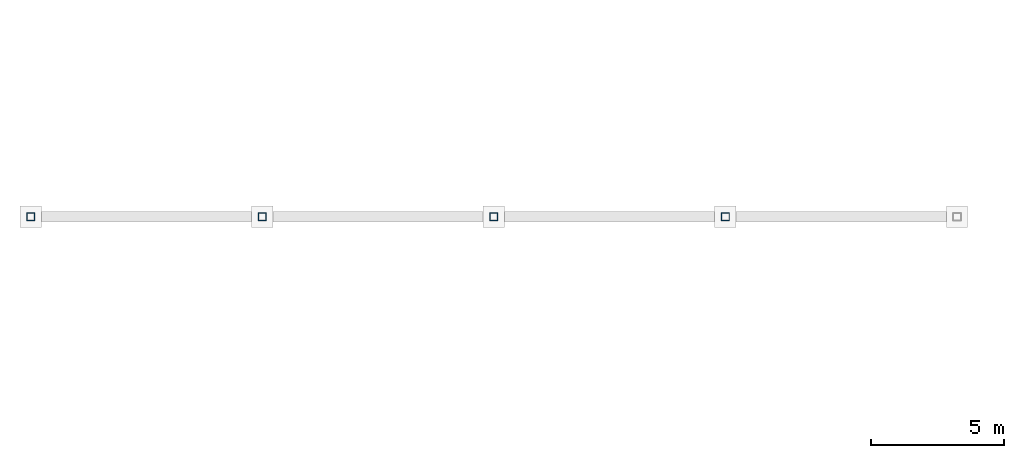
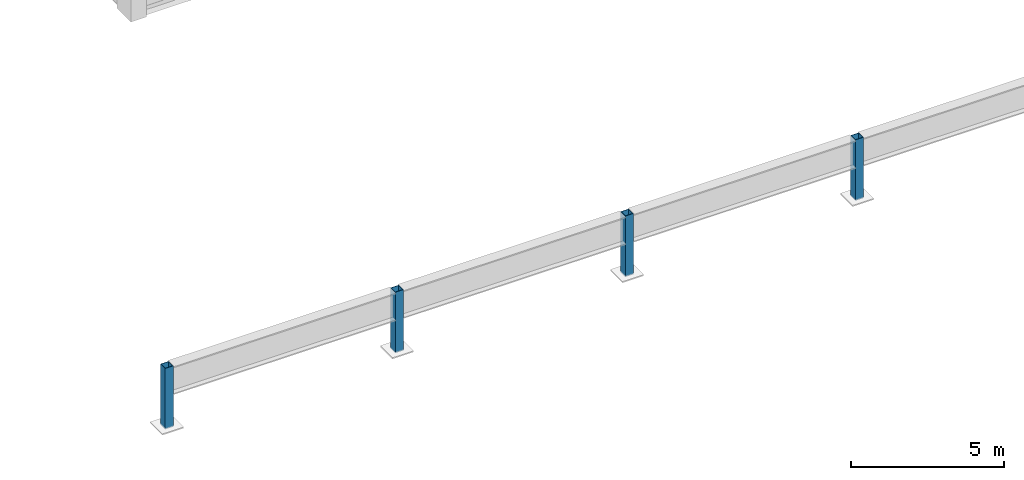
# One storey, part 1 of 85: 4 columns.
"""IFC4 building model written with IfcOpenShell, lengths in metres."""

from ifc_helpers import new_model, si_unit, direction, frame, origin, origin_2d, place, context, subcontext, project, spatial, hollow_rectangle, extrude, material, material_profile, profile_set, type_object, element, save


model = new_model("IFC4")

# Units and contexts
model_context = context("Model", 3, precision=1e-05, world=origin(), true_north=direction((0.0, 1.0)))
body_context = subcontext(model_context, "Body", "Model", "MODEL_VIEW")
ifc_project = project(units=[si_unit("LENGTHUNIT", "METRE"), si_unit("AREAUNIT", "SQUARE_METRE"), si_unit("VOLUMEUNIT", "CUBIC_METRE"), si_unit("PLANEANGLEUNIT", "RADIAN"), si_unit("MASSUNIT", "GRAM", prefix="KILO")], contexts=[model_context])

# Site, building, storey
site_placement = place(None, origin())
site = spatial("IfcSite", under=ifc_project, at=site_placement, CompositionType="ELEMENT")
building_placement = place(site_placement, origin())
building = spatial("IfcBuilding", under=site, at=building_placement, Name="Vaelkrest Opera House", CompositionType="ELEMENT")
storey_placement = place(building_placement, frame((0.0, 0.0, 10.199951171875)))
storey = spatial("IfcBuildingStorey", under=building, at=storey_placement, Name="L02", CompositionType="ELEMENT", Elevation=10.199951171875)

# Columns
ifc_material = material(Name="Steel A500 GrC", Category="steel")
ifc_material_profile = material_profile(ifc_material, hollow_rectangle(XDim=0.304931640625, YDim=0.304931640625, WallThickness=0.015869140625, at=origin_2d()), Name="HSS305X305X15.9")
ifc_profile_set = profile_set([ifc_material_profile], Name="Steel A500 GrC")
column_type = type_object("IfcColumnType", Name="C12", PredefinedType="COLUMN", material=ifc_profile_set)
for number, where, z_axis, x_axis, name in (
    (1, (-86.39990234375, -37.800048828125, 0.0), (0.0, 0.0, 1.0), (1.0, 0.0, 0.0), "Roof fold pier post V5-N-00"),
    (2, (-77.699951171875, -37.800048828125, 0.0), (0.0, 0.0, 1.0), (1.0, 0.0, 0.0), "Roof fold pier post V5-N-01"),
    (3, (-69.0, -37.800048828125, 0.0), (0.0, 0.0, 1.0), (1.0, 0.0, 0.0), "Roof fold pier post V5-N-02"),
    (4, (-60.300048828125, -37.800048828125, 0.0), (0.0, 0.0, 1.0), (1.0, 0.0, 0.0), "Roof fold pier post V5-N-03"),
):
    element("IfcColumn", number, at=place(storey_placement, frame(where, z_axis=z_axis, x_axis=x_axis)), inside=storey, type_object=column_type, Name=name, PredefinedType="COLUMN", context=body_context, shape_type="SweptSolid", body=[
        extrude(hollow_rectangle(XDim=0.304931640625, YDim=0.304931640625, WallThickness=0.015869140625, at=origin_2d()), origin(), (0.0, 0.0, 1.0), 2.429931640625),
    ])

save(model, "model.ifc")
